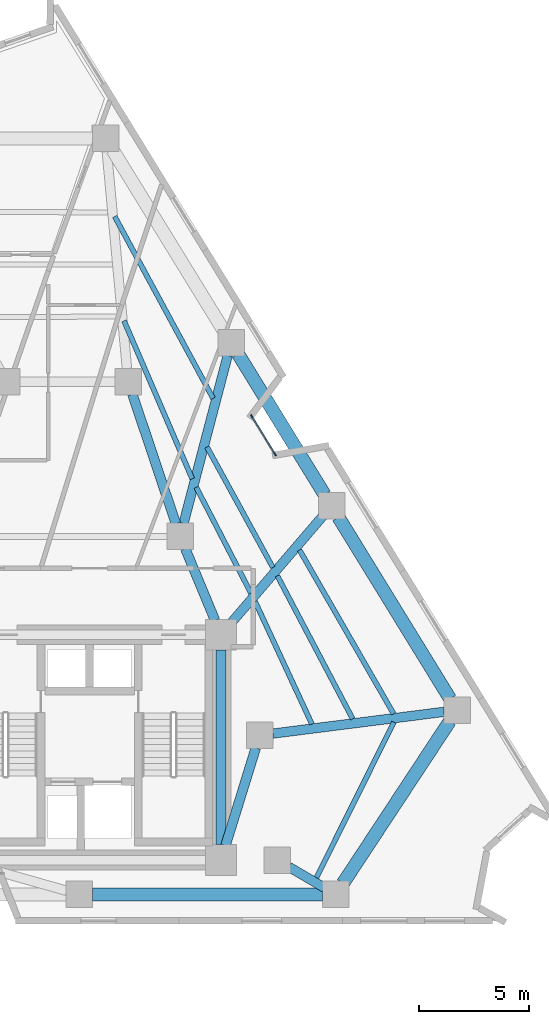
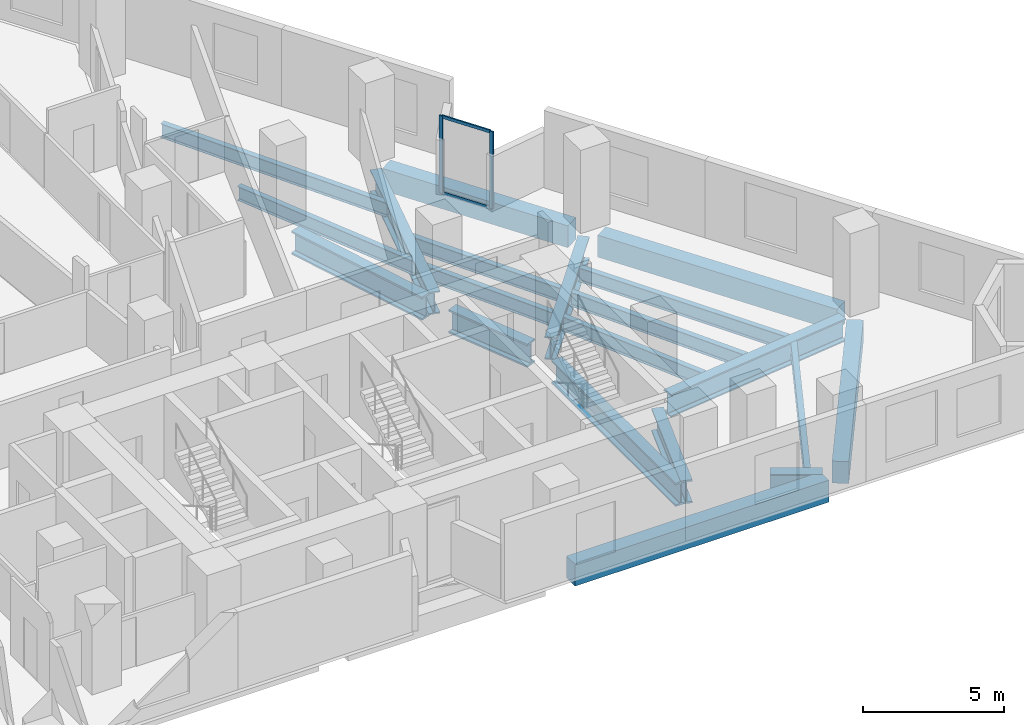
# One storey, part 4 of 13: 20 beams, 4 members, 1 element without a shape of its own.
"""IFC4 building model written with IfcOpenShell, lengths in metres."""

from ifc_helpers import new_model, si_unit, direction, frame, origin, origin_2d, place, context, subcontext, project, spatial, rectangle, i_section, extrude, material, layer, layer_set, material_profile, profile_set, type_object, element, aggregate, save


model = new_model("IFC4")

# Units and contexts
model_context = context("Model", 3, precision=1e-05, world=origin(), true_north=direction((0.0, 1.0)))
body_context = subcontext(model_context, "Body", "Model", "MODEL_VIEW")
ifc_project = project(units=[si_unit("LENGTHUNIT", "METRE"), si_unit("AREAUNIT", "SQUARE_METRE"), si_unit("VOLUMEUNIT", "CUBIC_METRE"), si_unit("PLANEANGLEUNIT", "RADIAN"), si_unit("MASSUNIT", "GRAM", prefix="KILO")], contexts=[model_context])

# Site, building, storey
site_placement = place(None, origin())
site = spatial("IfcSite", under=ifc_project, at=site_placement, CompositionType="ELEMENT")
building_placement = place(site_placement, origin())
building = spatial("IfcBuilding", under=site, at=building_placement, Name="Almagre Mirador Tower", CompositionType="ELEMENT")
storey_placement = place(building_placement, frame((0.0, 0.0, 89.39990234375)))
storey = spatial("IfcBuildingStorey", under=building, at=storey_placement, Name="L22", CompositionType="ELEMENT", Elevation=89.39990234375)

# Beams
ifc_material_1 = material(Name="Steel ASTM A992 Grade 50", Category="steel")
ifc_material_profile_1 = material_profile(ifc_material_1, i_section(OverallWidth=0.22802734375, OverallDepth=0.60791015625, WebThickness=0.01123046875, FlangeThickness=0.017333984375, FilletRadius=0.02001953125, at=origin_2d()), Name="W24X76")
ifc_profile_set_1 = profile_set([ifc_material_profile_1], Name="Steel ASTM A992 Grade 50")
beam_type_1 = type_object("IfcBeamType", Name="BM-JST-W24X76", PredefinedType="JOIST", material=ifc_profile_set_1)
beam_1_placement = place(storey_placement, frame((51.36865234375, 3.75927734375, -0.553955078125), z_axis=(0.445858512844, 0.89510345018, 0.0), x_axis=(-0.89510345018, 0.445858512844, 0.0)))
element("IfcBeam", 1, at=beam_1_placement, inside=storey, type_object=beam_type_1, Name="L22 secondary floor joist PC04-PC05.1", PredefinedType="JOIST", context=body_context, shape_type="SweptSolid", body=[
    extrude(i_section(OverallWidth=0.22802734375, OverallDepth=0.60791015625, WebThickness=0.01123046875, FlangeThickness=0.017333984375, FilletRadius=0.02001953125, at=origin_2d()), origin(), (0.0, 0.0, 1.0), 7.858154296875),
])
beam_2_placement = place(storey_placement, frame((54.861083984375, 11.170166015625, -0.553955078125), z_axis=(-0.498260180267, 0.867027561707, 0.0), x_axis=(-0.867027561707, -0.498260180267, 0.0)))
element("IfcBeam", 2, at=beam_2_placement, inside=storey, type_object=beam_type_1, Name="L22 secondary floor joist PC05-PC06.1", PredefinedType="JOIST", context=body_context, shape_type="SweptSolid", body=[
    extrude(i_section(OverallWidth=0.22802734375, OverallDepth=0.60791015625, WebThickness=0.01123046875, FlangeThickness=0.017333984375, FilletRadius=0.02001953125, at=origin_2d()), origin(), (0.0, 0.0, 1.0), 8.54638671875),
])
beam_3_placement = place(storey_placement, frame((53.010498046875, 10.937744140625, -0.553955078125), z_axis=(-0.466003449067, 0.884782903009, 0.0), x_axis=(-0.884782903009, -0.466003449067, 0.0)))
element("IfcBeam", 3, at=beam_3_placement, inside=storey, type_object=beam_type_1, Name="L22 secondary floor joist PC05-PC06.2", PredefinedType="JOIST", context=body_context, shape_type="SweptSolid", body=[
    extrude(i_section(OverallWidth=0.22802734375, OverallDepth=0.60791015625, WebThickness=0.01123046875, FlangeThickness=0.017333984375, FilletRadius=0.02001953125, at=origin_2d()), origin(), (0.0, 0.0, 1.0), 7.320556640625),
])
beam_4_placement = place(storey_placement, frame((51.16259765625, 10.7060546875, -0.553955078125), z_axis=(-0.420643946583, 0.90722580993, 0.0), x_axis=(-0.90722580993, -0.420643946583, 0.0)))
element("IfcBeam", 4, at=beam_4_placement, inside=storey, type_object=beam_type_1, Name="L22 secondary floor joist PC05-PC06.3", PredefinedType="JOIST", context=body_context, shape_type="SweptSolid", body=[
    extrude(i_section(OverallWidth=0.22802734375, OverallDepth=0.60791015625, WebThickness=0.01123046875, FlangeThickness=0.017333984375, FilletRadius=0.02001953125, at=origin_2d()), origin(), (0.0, 0.0, 1.0), 6.109375),
])
beam_5_placement = place(storey_placement, frame((49.396728515625, 17.7919921875, -0.553955078125), z_axis=(-0.479727277222, 0.877417653965, 0.0), x_axis=(-0.877417653965, -0.479727277222, 0.0)))
element("IfcBeam", 5, at=beam_5_placement, inside=storey, type_object=beam_type_1, Name="L22 secondary floor joist PC06-PC07.2", PredefinedType="JOIST", context=body_context, shape_type="SweptSolid", body=[
    extrude(i_section(OverallWidth=0.22802734375, OverallDepth=0.60791015625, WebThickness=0.01123046875, FlangeThickness=0.017333984375, FilletRadius=0.02001953125, at=origin_2d()), origin(), (0.0, 0.0, 1.0), 6.2138671875),
])
beam_6_placement = place(storey_placement, frame((48.404296875, 16.6328125, -0.553955078125), z_axis=(-0.459287235834, 0.888287810904, 0.0), x_axis=(-0.888287810904, -0.459287235834, 0.0)))
element("IfcBeam", 6, at=beam_6_placement, inside=storey, type_object=beam_type_1, Name="L22 secondary floor joist PC06-PC07.3", PredefinedType="JOIST", context=body_context, shape_type="SweptSolid", body=[
    extrude(i_section(OverallWidth=0.22802734375, OverallDepth=0.60791015625, WebThickness=0.01123046875, FlangeThickness=0.017333984375, FilletRadius=0.02001953125, at=origin_2d()), origin(), (0.0, 0.0, 1.0), 5.384765625),
])
beam_7_placement = place(storey_placement, frame((46.69140625, 25.44580078125, -0.553955078125), z_axis=(-0.475871200759, 0.879514980139, 0.0), x_axis=(-0.879514980139, -0.475871200759, 0.0)))
element("IfcBeam", 7, at=beam_7_placement, inside=storey, type_object=beam_type_1, Name="L22 secondary floor joist PC07-PC08.1", PredefinedType="JOIST", context=body_context, shape_type="SweptSolid", body=[
    extrude(i_section(OverallWidth=0.22802734375, OverallDepth=0.60791015625, WebThickness=0.01123046875, FlangeThickness=0.017333984375, FilletRadius=0.02001953125, at=origin_2d()), origin(), (0.0, 0.0, 1.0), 9.356201171875),
])
beam_8_placement = place(storey_placement, frame((45.748046875, 21.802490234375, -0.553955078125), z_axis=(-0.396311768179, 0.918115996159, 0.0), x_axis=(-0.918115996159, -0.396311768179, 0.0)))
element("IfcBeam", 8, at=beam_8_placement, inside=storey, type_object=beam_type_1, Name="L22 secondary floor joist PC07-PC08.3", PredefinedType="JOIST", context=body_context, shape_type="SweptSolid", body=[
    extrude(i_section(OverallWidth=0.22802734375, OverallDepth=0.60791015625, WebThickness=0.01123046875, FlangeThickness=0.017333984375, FilletRadius=0.02001953125, at=origin_2d()), origin(), (0.0, 0.0, 1.0), 7.79150390625),
])
ifc_material_2 = material(Name="Precast concrete C50/60", Category="concrete")
ifc_material_profile_2 = material_profile(ifc_material_2, rectangle(XDim=0.60009765625, YDim=0.949951171875, at=origin_2d()), Name="RC600X950")
ifc_profile_set_2 = profile_set([ifc_material_profile_2], Name="Precast concrete C50/60")
beam_type_2 = type_object("IfcBeamType", Name="BM-SPN-RC600X950", PredefinedType="SPANDREL", material=ifc_profile_set_2)
beam_9_placement = place(storey_placement, frame((41.239990234375, 3.0, -0.724853515625), z_axis=(1.0, 0.0, 0.0), x_axis=(0.0, 1.0, 0.0)))
element("IfcBeam", 9, at=beam_9_placement, inside=storey, type_object=beam_type_2, Name="L22 perimeter spandrel beam PC03-PC04", PredefinedType="SPANDREL", context=body_context, shape_type="SweptSolid", body=[
    extrude(rectangle(XDim=0.60009765625, YDim=0.949951171875, at=origin_2d()), origin(), (0.0, 0.0, 1.0), 10.39990234375),
])
beam_10_placement = place(storey_placement, frame((52.570068359375, 3.501220703125, -0.724853515625), z_axis=(0.550014218611, 0.835155290545, 0.0), x_axis=(-0.835155290545, 0.550014218611, 0.0)))
element("IfcBeam", 10, at=beam_10_placement, inside=storey, type_object=beam_type_2, Name="L22 perimeter spandrel beam PC04-PC05", PredefinedType="SPANDREL", context=body_context, shape_type="SweptSolid", body=[
    extrude(rectangle(XDim=0.60009765625, YDim=0.949951171875, at=origin_2d()), origin(), (0.0, 0.0, 1.0), 8.78125),
])
beam_11_placement = place(storey_placement, frame((57.415771484375, 11.84716796875, -0.724853515625), z_axis=(-0.523677963784, 0.85191630472, 0.0), x_axis=(-0.85191630472, -0.523677963784, 0.0)))
element("IfcBeam", 11, at=beam_11_placement, inside=storey, type_object=beam_type_2, Name="L22 perimeter spandrel beam PC05-PC06", PredefinedType="SPANDREL", context=body_context, shape_type="SweptSolid", body=[
    extrude(rectangle(XDim=0.60009765625, YDim=0.949951171875, at=origin_2d()), origin(), (0.0, 0.0, 1.0), 9.646240234375),
])
beam_12_placement = place(storey_placement, frame((51.73583984375, 21.087158203125, -0.724853515625), z_axis=(-0.523685630809, 0.851911591707, 0.0), x_axis=(-0.851911591707, -0.523685630809, 0.0)))
element("IfcBeam", 12, at=beam_12_placement, inside=storey, type_object=beam_type_2, Name="L22 perimeter spandrel beam PC06-PC07", PredefinedType="SPANDREL", context=body_context, shape_type="SweptSolid", body=[
    extrude(rectangle(XDim=0.60009765625, YDim=0.949951171875, at=origin_2d()), origin(), (0.0, 0.0, 1.0), 7.476806640625),
])
ifc_material_3 = material(Name="Steel ASTM A992 Grade 50", Category="steel")
ifc_material_profile_3 = material_profile(ifc_material_3, i_section(OverallWidth=0.427978515625, OverallDepth=0.97509765625, WebThickness=0.031005859375, FlangeThickness=0.055908203125, FilletRadius=0.028076171875, at=origin_2d()), Name="W36X395")
ifc_profile_set_3 = profile_set([ifc_material_profile_3], Name="Steel ASTM A992 Grade 50")
beam_type_3 = type_object("IfcBeamType", Name="BM-STL-W36X395", PredefinedType="BEAM", material=ifc_profile_set_3)
beam_13_placement = place(storey_placement, frame((51.72265625, 3.3037109375, -0.7373046875), z_axis=(-0.862372214541, 0.50627479059, 0.0), x_axis=(-0.50627479059, -0.862372214541, 0.0)))
element("IfcBeam", 13, at=beam_13_placement, inside=storey, type_object=beam_type_3, Name="L22 radial floor girder PC04-MC2", PredefinedType="BEAM", context=body_context, shape_type="SweptSolid", body=[
    extrude(i_section(OverallWidth=0.427978515625, OverallDepth=0.97509765625, WebThickness=0.031005859375, FlangeThickness=0.055908203125, FilletRadius=0.028076171875, at=origin_2d()), origin(), (0.0, 0.0, 1.0), 1.861328125),
])
beam_14_placement = place(storey_placement, frame((57.134765625, 11.26025390625, -0.7373046875), z_axis=(-0.992004466141, -0.126202770006, 0.0), x_axis=(0.126202770006, -0.992004466141, 0.0)))
element("IfcBeam", 14, at=beam_14_placement, inside=storey, type_object=beam_type_3, Name="L22 radial floor girder PC05-MC3", PredefinedType="BEAM", context=body_context, shape_type="SweptSolid", body=[
    extrude(i_section(OverallWidth=0.427978515625, OverallDepth=0.97509765625, WebThickness=0.031005859375, FlangeThickness=0.055908203125, FilletRadius=0.028076171875, at=origin_2d()), origin(), (0.0, 0.0, 1.0), 7.802001953125),
])
beam_15_placement = place(storey_placement, frame((51.6591796875, 20.12060546875, -0.7373046875), z_axis=(-0.651270456957, -0.758845697026, 0.0), x_axis=(0.758845697026, -0.651270456957, 0.0)))
element("IfcBeam", 15, at=beam_15_placement, inside=storey, type_object=beam_type_3, Name="L22 radial floor girder PC06-CC6", PredefinedType="BEAM", context=body_context, shape_type="SweptSolid", body=[
    extrude(i_section(OverallWidth=0.427978515625, OverallDepth=0.97509765625, WebThickness=0.031005859375, FlangeThickness=0.055908203125, FilletRadius=0.028076171875, at=origin_2d()), origin(), (0.0, 0.0, 1.0), 6.377197265625),
])
beam_16_placement = place(storey_placement, frame((47.353515625, 27.3876953125, -0.7373046875), z_axis=(-0.25437719106, -0.967105084605, 0.0), x_axis=(0.967105084605, -0.25437719106, 0.0)))
element("IfcBeam", 16, at=beam_16_placement, inside=storey, type_object=beam_type_3, Name="L22 radial floor girder PC07-MC5", PredefinedType="BEAM", context=body_context, shape_type="SweptSolid", body=[
    extrude(i_section(OverallWidth=0.427978515625, OverallDepth=0.97509765625, WebThickness=0.031005859375, FlangeThickness=0.055908203125, FilletRadius=0.028076171875, at=origin_2d()), origin(), (0.0, 0.0, 1.0), 7.8662109375),
])
ifc_material_4 = material(Name="Steel ASTM A992 Grade 50", Category="steel")
ifc_material_profile_4 = material_profile(ifc_material_4, i_section(OverallWidth=0.43701171875, OverallDepth=1.010986328125, WebThickness=0.041015625, FlangeThickness=0.073974609375, FilletRadius=0.028076171875, at=origin_2d()), Name="W36X529")
ifc_profile_set_4 = profile_set([ifc_material_profile_4], Name="Steel ASTM A992 Grade 50")
beam_type_4 = type_object("IfcBeamType", Name="BM-STL-W36X529", PredefinedType="BEAM", material=ifc_profile_set_4)
beam_17_placement = place(storey_placement, frame((47.050048828125, 5.25, -0.75537109375), z_axis=(0.0, 1.0, 0.0), x_axis=(-1.0, 0.0, 0.0)))
element("IfcBeam", 17, at=beam_17_placement, inside=storey, type_object=beam_type_4, Name="L22 core tie girder CC3-CC6", PredefinedType="BEAM", context=body_context, shape_type="SweptSolid", body=[
    extrude(i_section(OverallWidth=0.43701171875, OverallDepth=1.010986328125, WebThickness=0.041015625, FlangeThickness=0.073974609375, FilletRadius=0.028076171875, at=origin_2d()), origin(), (0.0, 0.0, 1.0), 8.800048828125),
])
beam_18_placement = place(storey_placement, frame((48.62255859375, 9.626953125, -0.75537109375), z_axis=(-0.295888328273, -0.955222538046, 0.0), x_axis=(0.955222538046, -0.295888328273, 0.0)))
element("IfcBeam", 18, at=beam_18_placement, inside=storey, type_object=beam_type_4, Name="L22 core tie girder MC3-CC3", PredefinedType="BEAM", context=body_context, shape_type="SweptSolid", body=[
    extrude(i_section(OverallWidth=0.43701171875, OverallDepth=1.010986328125, WebThickness=0.041015625, FlangeThickness=0.073974609375, FilletRadius=0.028076171875, at=origin_2d()), origin(), (0.0, 0.0, 1.0), 4.61474609375),
])
beam_19_placement = place(storey_placement, frame((45.430419921875, 18.64599609375, -0.75537109375), z_axis=(0.383856635851, -0.923392702545, 0.0), x_axis=(0.923392702545, 0.383856635851, 0.0)))
element("IfcBeam", 19, at=beam_19_placement, inside=storey, type_object=beam_type_4, Name="L22 core tie girder MC5-CC6", PredefinedType="BEAM", context=body_context, shape_type="SweptSolid", body=[
    extrude(i_section(OverallWidth=0.43701171875, OverallDepth=1.010986328125, WebThickness=0.041015625, FlangeThickness=0.073974609375, FilletRadius=0.028076171875, at=origin_2d()), origin(), (0.0, 0.0, 1.0), 3.51904296875),
])
beam_20_placement = place(storey_placement, frame((43.041015625, 25.631103515625, -0.75537109375), z_axis=(0.318252395552, -0.948006019351, 0.0), x_axis=(0.948006019351, 0.318252395552, 0.0)))
element("IfcBeam", 20, at=beam_20_placement, inside=storey, type_object=beam_type_4, Name="L22 core tie girder MC6-MC5", PredefinedType="BEAM", context=body_context, shape_type="SweptSolid", body=[
    extrude(i_section(OverallWidth=0.43701171875, OverallDepth=1.010986328125, WebThickness=0.041015625, FlangeThickness=0.073974609375, FilletRadius=0.028076171875, at=origin_2d()), origin(), (0.0, 0.0, 1.0), 6.183837890625),
])

# Curtain wall, members
ifc_material_5 = material(Name="Black anodized aluminium", Category="aluminium")
ifc_layer = layer(ifc_material_5, 0.169921875)
ifc_layer_set = layer_set([ifc_layer], Name="Black anodized aluminium")
curtain_wall_type = type_object("IfcCurtainWallType", Name="CW-CRS-SYS", PredefinedType="NOTDEFINED", material=ifc_layer_set)
curtain_wall_placement = place(storey_placement, origin())
curtain_wall = element("IfcCurtainWall", 21, at=curtain_wall_placement, inside=storey, type_object=curtain_wall_type, Name="L22 vertical crease curtain wall 03", PredefinedType="NOTDEFINED")
ifc_material_6 = material(Name="Black anodized aluminium", Category="aluminium")
ifc_material_profile_5 = material_profile(ifc_material_6, rectangle(XDim=0.06005859375, YDim=0.14990234375, at=origin_2d()), Name="CWM60X150")
ifc_profile_set_5 = profile_set([ifc_material_profile_5], Name="Black anodized aluminium")
member_type_1 = type_object("IfcMemberType", Name="MBR-CWM60X150", PredefinedType="MULLION", material=ifc_profile_set_5)
member_1_placement = place(storey_placement, frame((48.436767578125, 24.638427734375, 0.0), z_axis=(0.0, 0.0, 1.0), x_axis=(0.85174045317, 0.523963930469, 0.0)))
member_1 = element("IfcMember", 22, at=member_1_placement, type_object=member_type_1, Name="CW-4 mullion 1", PredefinedType="MULLION", context=body_context, shape_type="SweptSolid", body=[
    extrude(rectangle(XDim=0.06005859375, YDim=0.14990234375, at=origin_2d()), origin(), (0.0, 0.0, 1.0), 3.35009765625),
])
member_2_placement = place(storey_placement, frame((49.500244140625, 22.90966796875, 0.0), z_axis=(0.0, 0.0, 1.0), x_axis=(0.85174045317, 0.523963930469, 0.0)))
member_2 = element("IfcMember", 23, at=member_2_placement, type_object=member_type_1, Name="CW-4 mullion 2", PredefinedType="MULLION", context=body_context, shape_type="SweptSolid", body=[
    extrude(rectangle(XDim=0.06005859375, YDim=0.14990234375, at=origin_2d()), origin(), (0.0, 0.0, 1.0), 3.35009765625),
])
ifc_material_7 = material(Name="Black anodized aluminium", Category="aluminium")
ifc_material_profile_6 = material_profile(ifc_material_7, rectangle(XDim=0.06005859375, YDim=0.1298828125, at=origin_2d()), Name="CWT60X130")
ifc_profile_set_6 = profile_set([ifc_material_profile_6], Name="Black anodized aluminium")
member_type_2 = type_object("IfcMemberType", Name="MBR-CWT60X130", PredefinedType="USERDEFINED", material=ifc_profile_set_6)
member_3_placement = place(storey_placement, frame((48.452392578125, 24.61279296875, 0.030029296875), z_axis=(0.524014442503, -0.851709377692, 0.0), x_axis=(0.851709377692, 0.524014442503, 0.0)))
member_3 = element("IfcMember", 24, at=member_3_placement, type_object=member_type_2, Name="CW-4 transom 1.1", ObjectType="TRANSOM", PredefinedType="USERDEFINED", context=body_context, shape_type="SweptSolid", body=[
    extrude(rectangle(XDim=0.06005859375, YDim=0.1298828125, at=origin_2d()), origin(), (0.0, 0.0, 1.0), 1.9697265625),
])
member_4_placement = place(storey_placement, frame((48.452392578125, 24.61279296875, 3.320068359375), z_axis=(0.524014442503, -0.851709377692, 0.0), x_axis=(0.851709377692, 0.524014442503, 0.0)))
member_4 = element("IfcMember", 25, at=member_4_placement, type_object=member_type_2, Name="CW-4 transom 1.2", ObjectType="TRANSOM", PredefinedType="USERDEFINED", context=body_context, shape_type="SweptSolid", body=[
    extrude(rectangle(XDim=0.06005859375, YDim=0.1298828125, at=origin_2d()), origin(), (0.0, 0.0, 1.0), 1.9697265625),
])
aggregate(curtain_wall, [member_1, member_2, member_3, member_4])

save(model, "model.ifc")
